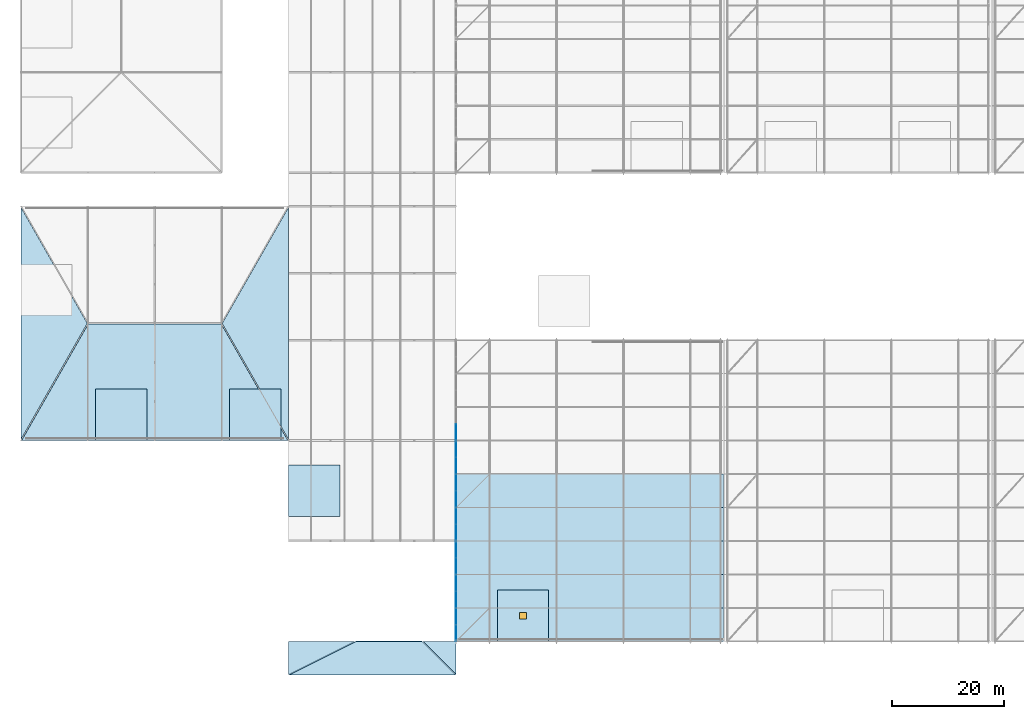
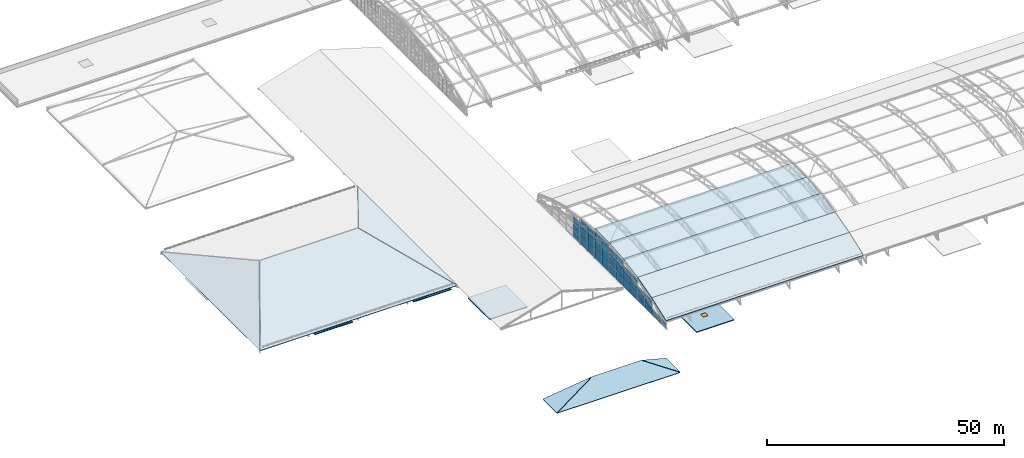
"""IFC4 building model written with IfcOpenShell, lengths in metres."""

from ifc_helpers import new_model, si_unit, direction, frame, origin, origin_2d, place, context, subcontext, project, spatial, polyline, rectangle, outline, extrude, material, layer, layer_set, type_object, element, fill, aggregate, save


model = new_model("IFC4")

# Units and contexts
model_context = context("Model", 3, precision=1e-05, world=origin(), true_north=direction((0.0, 1.0)))
body_context = subcontext(model_context, "Body", "Model", "MODEL_VIEW")
ifc_project = project(units=[si_unit("LENGTHUNIT", "METRE"), si_unit("AREAUNIT", "SQUARE_METRE"), si_unit("VOLUMEUNIT", "CUBIC_METRE"), si_unit("PLANEANGLEUNIT", "RADIAN"), si_unit("MASSUNIT", "GRAM", prefix="KILO")], contexts=[model_context])

# Site, building, storey
site_placement = place(None, origin())
site = spatial("IfcSite", under=ifc_project, at=site_placement, CompositionType="ELEMENT")
building_placement = place(site_placement, origin())
building = spatial("IfcBuilding", under=site, at=building_placement, Name="Zilviju Railside Exhibition Hall", CompositionType="ELEMENT")
storey_1_placement = place(building_placement, frame((0.0, 0.0, 21.0)))
storey_1 = spatial("IfcBuildingStorey", under=building, at=storey_1_placement, Name="RF", CompositionType="ELEMENT", Elevation=21.0)

# Curtain wall, plates
ifc_material_1 = material(Name="Thermally broken aluminium-steel triple-glazed curtain wall", Category="steel")
ifc_layer_1 = layer(ifc_material_1, 0.179931640625)
ifc_layer_set_1 = layer_set([ifc_layer_1], Name="Thermally broken aluminium-steel triple-glazed curtain wall")
curtain_wall_type_1 = type_object("IfcCurtainWallType", Name="CW-BAY-11", PredefinedType="USERDEFINED", material=ifc_layer_set_1)
curtain_wall_1_placement = place(storey_1_placement, origin())
curtain_wall_1 = element("IfcCurtainWall", 1, at=curtain_wall_1_placement, inside=storey_1, type_object=curtain_wall_type_1, Name="South Hall Arch Tympanum Glazing West P3", ObjectType="GLAZED CURTAIN WALL", PredefinedType="USERDEFINED")
ifc_material_2 = material(Name="Laminated acoustic double-glazed porch unit", Category="glass")
ifc_layer_2 = layer(ifc_material_2, 0.031982421875)
ifc_layer_set_2 = layer_set([ifc_layer_2], Name="Laminated acoustic double-glazed porch unit")
plate_type_1 = type_object("IfcPlateType", Name="CWP-IGU-32", PredefinedType="CURTAIN_PANEL", material=ifc_layer_set_2)
plate_1_placement = place(storey_1_placement, frame((78.0, 13.514892578125, -7.739990234375), z_axis=(0.0, 0.0, 1.0), x_axis=(0.0, 1.0, 0.0)))
plate_1 = element("IfcPlate", 2, at=plate_1_placement, type_object=plate_type_1, Name="CW-11 panel 1.1", PredefinedType="CURTAIN_PANEL", context=body_context, shape_type="SweptSolid", body=[
    extrude(rectangle(XDim=2.909912109375, YDim=0.031982421875, at=origin_2d()), origin(), (0.0, 0.0, 1.0), 1.73388671875),
])
plate_2_placement = place(storey_1_placement, frame((78.0, 13.514892578125, -5.94580078125), z_axis=(0.0, 0.0, 1.0), x_axis=(0.0, 1.0, 0.0)))
plate_2 = element("IfcPlate", 3, at=plate_2_placement, type_object=plate_type_1, Name="CW-11 panel 1.2", PredefinedType="CURTAIN_PANEL", context=body_context, shape_type="SweptSolid", body=[
    extrude(rectangle(XDim=2.909912109375, YDim=0.031982421875, at=origin_2d()), origin(), (0.0, 0.0, 1.0), 1.763916015625),
])
plate_3_placement = place(storey_1_placement, frame((78.0, 13.514892578125, -4.121826171875), z_axis=(0.0, 0.0, 1.0), x_axis=(0.0, 1.0, 0.0)))
plate_3 = element("IfcPlate", 4, at=plate_3_placement, type_object=plate_type_1, Name="CW-11 panel 1.3", PredefinedType="CURTAIN_PANEL", context=body_context, shape_type="SweptSolid", body=[
    extrude(rectangle(XDim=2.909912109375, YDim=0.031982421875, at=origin_2d()), origin(), (0.0, 0.0, 1.0), 1.73388671875),
])
plate_4_placement = place(storey_1_placement, frame((78.0, 16.485107421875, -7.739990234375), z_axis=(0.0, 0.0, 1.0), x_axis=(0.0, 1.0, 0.0)))
plate_4 = element("IfcPlate", 5, at=plate_4_placement, type_object=plate_type_1, Name="CW-11 panel 2.1", PredefinedType="CURTAIN_PANEL", context=body_context, shape_type="SweptSolid", body=[
    extrude(rectangle(XDim=2.909912109375, YDim=0.031982421875, at=origin_2d()), origin(), (0.0, 0.0, 1.0), 1.73388671875),
])
plate_5_placement = place(storey_1_placement, frame((78.0, 16.485107421875, -5.94580078125), z_axis=(0.0, 0.0, 1.0), x_axis=(0.0, 1.0, 0.0)))
plate_5 = element("IfcPlate", 6, at=plate_5_placement, type_object=plate_type_1, Name="CW-11 panel 2.2", PredefinedType="CURTAIN_PANEL", context=body_context, shape_type="SweptSolid", body=[
    extrude(rectangle(XDim=2.909912109375, YDim=0.031982421875, at=origin_2d()), origin(), (0.0, 0.0, 1.0), 1.763916015625),
])
plate_6_placement = place(storey_1_placement, frame((78.0, 16.485107421875, -4.121826171875), z_axis=(0.0, 0.0, 1.0), x_axis=(0.0, 1.0, 0.0)))
plate_6 = element("IfcPlate", 7, at=plate_6_placement, type_object=plate_type_1, Name="CW-11 panel 2.3", PredefinedType="CURTAIN_PANEL", context=body_context, shape_type="SweptSolid", body=[
    extrude(rectangle(XDim=2.909912109375, YDim=0.031982421875, at=origin_2d()), origin(), (0.0, 0.0, 1.0), 1.73388671875),
])
aggregate(curtain_wall_1, [plate_1, plate_2, plate_3, plate_4, plate_5, plate_6])

ifc_layer_3 = layer(ifc_material_1, 0.179931640625)
ifc_layer_set_3 = layer_set([ifc_layer_3], Name="Thermally broken aluminium-steel triple-glazed curtain wall")
curtain_wall_type_2 = type_object("IfcCurtainWallType", Name="CW-BAY-10", PredefinedType="USERDEFINED", material=ifc_layer_set_3)
curtain_wall_2_placement = place(storey_1_placement, origin())
curtain_wall_2 = element("IfcCurtainWall", 8, at=curtain_wall_2_placement, inside=storey_1, type_object=curtain_wall_type_2, Name="South Hall Arch Tympanum Glazing West P2", ObjectType="GLAZED CURTAIN WALL", PredefinedType="USERDEFINED")
ifc_material_3 = material(Name="Triple-glazed solar-control glass unit", Category="glass")
ifc_layer_4 = layer(ifc_material_3, 0.0380859375)
ifc_layer_set_4 = layer_set([ifc_layer_4], Name="Triple-glazed solar-control glass unit")
plate_type_2 = type_object("IfcPlateType", Name="CWP-IGU-38", PredefinedType="CURTAIN_PANEL", material=ifc_layer_set_4)
plate_7_placement = place(storey_1_placement, frame((78.0, 7.516357421875, -7.73486328125), z_axis=(0.0, 0.0, 1.0), x_axis=(0.0, 1.0, 0.0)))
plate_7 = element("IfcPlate", 9, at=plate_7_placement, type_object=plate_type_2, Name="CW-10 panel 1.1", PredefinedType="CURTAIN_PANEL", context=body_context, shape_type="SweptSolid", body=[
    extrude(rectangle(XDim=2.902587890625, YDim=0.0380859375, at=origin_2d()), origin(), (0.0, 0.0, 1.0), 1.173583984375),
])
plate_8_placement = place(storey_1_placement, frame((78.0, 7.516357421875, -6.49658203125), z_axis=(0.0, 0.0, 1.0), x_axis=(0.0, 1.0, 0.0)))
plate_8 = element("IfcPlate", 10, at=plate_8_placement, type_object=plate_type_2, Name="CW-10 panel 1.2", PredefinedType="CURTAIN_PANEL", context=body_context, shape_type="SweptSolid", body=[
    extrude(rectangle(XDim=2.902587890625, YDim=0.0380859375, at=origin_2d()), origin(), (0.0, 0.0, 1.0), 1.205078125),
])
plate_9_placement = place(storey_1_placement, frame((78.0, 7.516357421875, -5.2265625), z_axis=(0.0, 0.0, 1.0), x_axis=(0.0, 1.0, 0.0)))
plate_9 = element("IfcPlate", 11, at=plate_9_placement, type_object=plate_type_2, Name="CW-10 panel 1.3", PredefinedType="CURTAIN_PANEL", context=body_context, shape_type="SweptSolid", body=[
    extrude(rectangle(XDim=2.902587890625, YDim=0.0380859375, at=origin_2d()), origin(), (0.0, 0.0, 1.0), 1.173583984375),
])
plate_10_placement = place(storey_1_placement, frame((78.0, 10.483642578125, -7.73486328125), z_axis=(0.0, 0.0, 1.0), x_axis=(0.0, 1.0, 0.0)))
plate_10 = element("IfcPlate", 12, at=plate_10_placement, type_object=plate_type_2, Name="CW-10 panel 2.1", PredefinedType="CURTAIN_PANEL", context=body_context, shape_type="SweptSolid", body=[
    extrude(rectangle(XDim=2.902587890625, YDim=0.0380859375, at=origin_2d()), origin(), (0.0, 0.0, 1.0), 1.173583984375),
])
plate_11_placement = place(storey_1_placement, frame((78.0, 10.483642578125, -6.49658203125), z_axis=(0.0, 0.0, 1.0), x_axis=(0.0, 1.0, 0.0)))
plate_11 = element("IfcPlate", 13, at=plate_11_placement, type_object=plate_type_2, Name="CW-10 panel 2.2", PredefinedType="CURTAIN_PANEL", context=body_context, shape_type="SweptSolid", body=[
    extrude(rectangle(XDim=2.902587890625, YDim=0.0380859375, at=origin_2d()), origin(), (0.0, 0.0, 1.0), 1.205078125),
])
plate_12_placement = place(storey_1_placement, frame((78.0, 10.483642578125, -5.2265625), z_axis=(0.0, 0.0, 1.0), x_axis=(0.0, 1.0, 0.0)))
plate_12 = element("IfcPlate", 14, at=plate_12_placement, type_object=plate_type_2, Name="CW-10 panel 2.3", PredefinedType="CURTAIN_PANEL", context=body_context, shape_type="SweptSolid", body=[
    extrude(rectangle(XDim=2.902587890625, YDim=0.0380859375, at=origin_2d()), origin(), (0.0, 0.0, 1.0), 1.173583984375),
])
aggregate(curtain_wall_2, [plate_7, plate_8, plate_9, plate_10, plate_11, plate_12])

ifc_layer_5 = layer(ifc_material_1, 0.179931640625)
ifc_layer_set_5 = layer_set([ifc_layer_5], Name="Thermally broken aluminium-steel triple-glazed curtain wall")
curtain_wall_type_3 = type_object("IfcCurtainWallType", Name="CW-BAY-09", PredefinedType="USERDEFINED", material=ifc_layer_set_5)
curtain_wall_3_placement = place(storey_1_placement, origin())
curtain_wall_3 = element("IfcCurtainWall", 15, at=curtain_wall_3_placement, inside=storey_1, type_object=curtain_wall_type_3, Name="South Hall Arch Tympanum Glazing West P1", ObjectType="GLAZED CURTAIN WALL", PredefinedType="USERDEFINED")
ifc_material_4 = material(Name="Triple-glazed low-E argon insulating glass unit", Category="glass")
ifc_layer_6 = layer(ifc_material_4, 0.0439453125)
ifc_layer_set_6 = layer_set([ifc_layer_6], Name="Triple-glazed low-E argon insulating glass unit")
plate_type_3 = type_object("IfcPlateType", Name="CWP-IGU-44", PredefinedType="CURTAIN_PANEL", material=ifc_layer_set_6)
plate_13_placement = place(storey_1_placement, frame((78.0, 1.517578125, -7.72998046875), z_axis=(0.0, 0.0, 1.0), x_axis=(0.0, 1.0, 0.0)))
plate_13 = element("IfcPlate", 16, at=plate_13_placement, type_object=plate_type_3, Name="CW-09 panel 1.1", PredefinedType="CURTAIN_PANEL", context=body_context, shape_type="SweptSolid", body=[
    extrude(rectangle(XDim=2.89501953125, YDim=0.0439453125, at=origin_2d()), origin(), (0.0, 0.0, 1.0), 0.695068359375),
])
plate_14_placement = place(storey_1_placement, frame((78.0, 1.517578125, -6.96484375), z_axis=(0.0, 0.0, 1.0), x_axis=(0.0, 1.0, 0.0)))
plate_14 = element("IfcPlate", 17, at=plate_14_placement, type_object=plate_type_3, Name="CW-09 panel 1.2", PredefinedType="CURTAIN_PANEL", context=body_context, shape_type="SweptSolid", body=[
    extrude(rectangle(XDim=2.89501953125, YDim=0.0439453125, at=origin_2d()), origin(), (0.0, 0.0, 1.0), 0.695068359375),
])
plate_15_placement = place(storey_1_placement, frame((78.0, 4.482421875, -7.72998046875), z_axis=(0.0, 0.0, 1.0), x_axis=(0.0, 1.0, 0.0)))
plate_15 = element("IfcPlate", 18, at=plate_15_placement, type_object=plate_type_3, Name="CW-09 panel 2.1", PredefinedType="CURTAIN_PANEL", context=body_context, shape_type="SweptSolid", body=[
    extrude(rectangle(XDim=2.89501953125, YDim=0.0439453125, at=origin_2d()), origin(), (0.0, 0.0, 1.0), 0.695068359375),
])
plate_16_placement = place(storey_1_placement, frame((78.0, 4.482421875, -6.96484375), z_axis=(0.0, 0.0, 1.0), x_axis=(0.0, 1.0, 0.0)))
plate_16 = element("IfcPlate", 19, at=plate_16_placement, type_object=plate_type_3, Name="CW-09 panel 2.2", PredefinedType="CURTAIN_PANEL", context=body_context, shape_type="SweptSolid", body=[
    extrude(rectangle(XDim=2.89501953125, YDim=0.0439453125, at=origin_2d()), origin(), (0.0, 0.0, 1.0), 0.695068359375),
])
aggregate(curtain_wall_3, [plate_13, plate_14, plate_15, plate_16])

ifc_layer_7 = layer(ifc_material_1, 0.179931640625)
ifc_layer_set_7 = layer_set([ifc_layer_7], Name="Thermally broken aluminium-steel triple-glazed curtain wall")
curtain_wall_type_4 = type_object("IfcCurtainWallType", Name="CW-BAY-14", PredefinedType="USERDEFINED", material=ifc_layer_set_7)
curtain_wall_4_placement = place(storey_1_placement, origin())
curtain_wall_4 = element("IfcCurtainWall", 20, at=curtain_wall_4_placement, inside=storey_1, type_object=curtain_wall_type_4, Name="South Hall Arch Tympanum Glazing West P6", ObjectType="GLAZED CURTAIN WALL", PredefinedType="USERDEFINED")
plate_17_placement = place(storey_1_placement, frame((78.0, 31.513671875, -7.7451171875), z_axis=(0.0, 0.0, 1.0), x_axis=(0.0, 1.0, 0.0)))
plate_17 = element("IfcPlate", 21, at=plate_17_placement, type_object=plate_type_3, Name="CW-14 panel 1.1", PredefinedType="CURTAIN_PANEL", context=body_context, shape_type="SweptSolid", body=[
    extrude(rectangle(XDim=2.91748046875, YDim=0.0439453125, at=origin_2d()), origin(), (0.0, 0.0, 1.0), 2.110595703125),
])
plate_18_placement = place(storey_1_placement, frame((78.0, 31.513671875, -5.57958984375), z_axis=(0.0, 0.0, 1.0), x_axis=(0.0, 1.0, 0.0)))
plate_18 = element("IfcPlate", 22, at=plate_18_placement, type_object=plate_type_3, Name="CW-14 panel 1.2", PredefinedType="CURTAIN_PANEL", context=body_context, shape_type="SweptSolid", body=[
    extrude(rectangle(XDim=2.91748046875, YDim=0.0439453125, at=origin_2d()), origin(), (0.0, 0.0, 1.0), 2.136962890625),
])
plate_19_placement = place(storey_1_placement, frame((78.0, 31.513671875, -3.3876953125), z_axis=(0.0, 0.0, 1.0), x_axis=(0.0, 1.0, 0.0)))
plate_19 = element("IfcPlate", 23, at=plate_19_placement, type_object=plate_type_3, Name="CW-14 panel 1.3", PredefinedType="CURTAIN_PANEL", context=body_context, shape_type="SweptSolid", body=[
    extrude(rectangle(XDim=2.91748046875, YDim=0.0439453125, at=origin_2d()), origin(), (0.0, 0.0, 1.0), 2.110595703125),
])
plate_20_placement = place(storey_1_placement, frame((78.0, 34.486328125, -7.7451171875), z_axis=(0.0, 0.0, 1.0), x_axis=(0.0, 1.0, 0.0)))
plate_20 = element("IfcPlate", 24, at=plate_20_placement, type_object=plate_type_3, Name="CW-14 panel 2.1", PredefinedType="CURTAIN_PANEL", context=body_context, shape_type="SweptSolid", body=[
    extrude(rectangle(XDim=2.91748046875, YDim=0.0439453125, at=origin_2d()), origin(), (0.0, 0.0, 1.0), 2.110595703125),
])
plate_21_placement = place(storey_1_placement, frame((78.0, 34.486328125, -5.57958984375), z_axis=(0.0, 0.0, 1.0), x_axis=(0.0, 1.0, 0.0)))
plate_21 = element("IfcPlate", 25, at=plate_21_placement, type_object=plate_type_3, Name="CW-14 panel 2.2", PredefinedType="CURTAIN_PANEL", context=body_context, shape_type="SweptSolid", body=[
    extrude(rectangle(XDim=2.91748046875, YDim=0.0439453125, at=origin_2d()), origin(), (0.0, 0.0, 1.0), 2.136962890625),
])
plate_22_placement = place(storey_1_placement, frame((78.0, 34.486328125, -3.3876953125), z_axis=(0.0, 0.0, 1.0), x_axis=(0.0, 1.0, 0.0)))
plate_22 = element("IfcPlate", 26, at=plate_22_placement, type_object=plate_type_3, Name="CW-14 panel 2.3", PredefinedType="CURTAIN_PANEL", context=body_context, shape_type="SweptSolid", body=[
    extrude(rectangle(XDim=2.91748046875, YDim=0.0439453125, at=origin_2d()), origin(), (0.0, 0.0, 1.0), 2.110595703125),
])
aggregate(curtain_wall_4, [plate_17, plate_18, plate_19, plate_20, plate_21, plate_22])

ifc_layer_8 = layer(ifc_material_1, 0.179931640625)
ifc_layer_set_8 = layer_set([ifc_layer_8], Name="Thermally broken aluminium-steel triple-glazed curtain wall")
curtain_wall_type_5 = type_object("IfcCurtainWallType", Name="CW-BAY-15", PredefinedType="USERDEFINED", material=ifc_layer_set_8)
curtain_wall_5_placement = place(storey_1_placement, origin())
curtain_wall_5 = element("IfcCurtainWall", 27, at=curtain_wall_5_placement, inside=storey_1, type_object=curtain_wall_type_5, Name="South Hall Arch Tympanum Glazing West P7", ObjectType="GLAZED CURTAIN WALL", PredefinedType="USERDEFINED")
plate_23_placement = place(storey_1_placement, frame((78.0, 37.517578125, -7.72998046875), z_axis=(0.0, 0.0, 1.0), x_axis=(0.0, 1.0, 0.0)))
plate_23 = element("IfcPlate", 28, at=plate_23_placement, type_object=plate_type_3, Name="CW-15 panel 1.1", PredefinedType="CURTAIN_PANEL", context=body_context, shape_type="SweptSolid", body=[
    extrude(rectangle(XDim=2.89501953125, YDim=0.0439453125, at=origin_2d()), origin(), (0.0, 0.0, 1.0), 1.718994140625),
])
plate_24_placement = place(storey_1_placement, frame((78.0, 37.517578125, -5.94091796875), z_axis=(0.0, 0.0, 1.0), x_axis=(0.0, 1.0, 0.0)))
plate_24 = element("IfcPlate", 29, at=plate_24_placement, type_object=plate_type_3, Name="CW-15 panel 1.2", PredefinedType="CURTAIN_PANEL", context=body_context, shape_type="SweptSolid", body=[
    extrude(rectangle(XDim=2.89501953125, YDim=0.0439453125, at=origin_2d()), origin(), (0.0, 0.0, 1.0), 1.75390625),
])
plate_25_placement = place(storey_1_placement, frame((78.0, 37.517578125, -4.1171875), z_axis=(0.0, 0.0, 1.0), x_axis=(0.0, 1.0, 0.0)))
plate_25 = element("IfcPlate", 30, at=plate_25_placement, type_object=plate_type_3, Name="CW-15 panel 1.3", PredefinedType="CURTAIN_PANEL", context=body_context, shape_type="SweptSolid", body=[
    extrude(rectangle(XDim=2.89501953125, YDim=0.0439453125, at=origin_2d()), origin(), (0.0, 0.0, 1.0), 1.718994140625),
])
aggregate(curtain_wall_5, [plate_23, plate_24, plate_25])

ifc_layer_9 = layer(ifc_material_1, 0.179931640625)
ifc_layer_set_9 = layer_set([ifc_layer_9], Name="Thermally broken aluminium-steel triple-glazed curtain wall")
curtain_wall_type_6 = type_object("IfcCurtainWallType", Name="CW-BAY-12", PredefinedType="USERDEFINED", material=ifc_layer_set_9)
curtain_wall_6_placement = place(storey_1_placement, origin())
curtain_wall_6 = element("IfcCurtainWall", 31, at=curtain_wall_6_placement, inside=storey_1, type_object=curtain_wall_type_6, Name="South Hall Arch Tympanum Glazing West P4", ObjectType="GLAZED CURTAIN WALL", PredefinedType="USERDEFINED")
ifc_material_5 = material(Name="Insulated cobalt-blue enamelled spandrel glass panel", Category="glass")
ifc_layer_10 = layer(ifc_material_5, 0.052001953125)
ifc_layer_set_10 = layer_set([ifc_layer_10], Name="Insulated cobalt-blue enamelled spandrel glass panel")
plate_type_4 = type_object("IfcPlateType", Name="CWP-SPD-52", PredefinedType="CURTAIN_PANEL", material=ifc_layer_set_10)
plate_26_placement = place(storey_1_placement, frame((78.0, 19.52001953125, -7.72021484375), z_axis=(0.0, 0.0, 1.0), x_axis=(0.0, 1.0, 0.0)))
plate_26 = element("IfcPlate", 32, at=plate_26_placement, type_object=plate_type_4, Name="CW-12 panel 1.1", PredefinedType="CURTAIN_PANEL", context=body_context, shape_type="SweptSolid", body=[
    extrude(rectangle(XDim=2.8798828125, YDim=0.052001953125, at=origin_2d()), origin(), (0.0, 0.0, 1.0), 2.072998046875),
])
plate_27_placement = place(storey_1_placement, frame((78.0, 19.52001953125, -5.56689453125), z_axis=(0.0, 0.0, 1.0), x_axis=(0.0, 1.0, 0.0)))
plate_27 = element("IfcPlate", 33, at=plate_27_placement, type_object=plate_type_4, Name="CW-12 panel 1.2", PredefinedType="CURTAIN_PANEL", context=body_context, shape_type="SweptSolid", body=[
    extrude(rectangle(XDim=2.8798828125, YDim=0.052001953125, at=origin_2d()), origin(), (0.0, 0.0, 1.0), 2.112060546875),
])
plate_28_placement = place(storey_1_placement, frame((78.0, 19.52001953125, -3.375), z_axis=(0.0, 0.0, 1.0), x_axis=(0.0, 1.0, 0.0)))
plate_28 = element("IfcPlate", 34, at=plate_28_placement, type_object=plate_type_4, Name="CW-12 panel 1.3", PredefinedType="CURTAIN_PANEL", context=body_context, shape_type="SweptSolid", body=[
    extrude(rectangle(XDim=2.8798828125, YDim=0.052001953125, at=origin_2d()), origin(), (0.0, 0.0, 1.0), 2.072998046875),
])
plate_29_placement = place(storey_1_placement, frame((78.0, 22.47998046875, -7.72021484375), z_axis=(0.0, 0.0, 1.0), x_axis=(0.0, 1.0, 0.0)))
plate_29 = element("IfcPlate", 35, at=plate_29_placement, type_object=plate_type_4, Name="CW-12 panel 2.1", PredefinedType="CURTAIN_PANEL", context=body_context, shape_type="SweptSolid", body=[
    extrude(rectangle(XDim=2.8798828125, YDim=0.052001953125, at=origin_2d()), origin(), (0.0, 0.0, 1.0), 2.072998046875),
])
plate_30_placement = place(storey_1_placement, frame((78.0, 22.47998046875, -5.56689453125), z_axis=(0.0, 0.0, 1.0), x_axis=(0.0, 1.0, 0.0)))
plate_30 = element("IfcPlate", 36, at=plate_30_placement, type_object=plate_type_4, Name="CW-12 panel 2.2", PredefinedType="CURTAIN_PANEL", context=body_context, shape_type="SweptSolid", body=[
    extrude(rectangle(XDim=2.8798828125, YDim=0.052001953125, at=origin_2d()), origin(), (0.0, 0.0, 1.0), 2.112060546875),
])
plate_31_placement = place(storey_1_placement, frame((78.0, 22.47998046875, -3.375), z_axis=(0.0, 0.0, 1.0), x_axis=(0.0, 1.0, 0.0)))
plate_31 = element("IfcPlate", 37, at=plate_31_placement, type_object=plate_type_4, Name="CW-12 panel 2.3", PredefinedType="CURTAIN_PANEL", context=body_context, shape_type="SweptSolid", body=[
    extrude(rectangle(XDim=2.8798828125, YDim=0.052001953125, at=origin_2d()), origin(), (0.0, 0.0, 1.0), 2.072998046875),
])
aggregate(curtain_wall_6, [plate_26, plate_27, plate_28, plate_29, plate_30, plate_31])

ifc_layer_11 = layer(ifc_material_1, 0.179931640625)
ifc_layer_set_11 = layer_set([ifc_layer_11], Name="Thermally broken aluminium-steel triple-glazed curtain wall")
curtain_wall_type_7 = type_object("IfcCurtainWallType", Name="CW-BAY-13", PredefinedType="USERDEFINED", material=ifc_layer_set_11)
curtain_wall_7_placement = place(storey_1_placement, origin())
curtain_wall_7 = element("IfcCurtainWall", 38, at=curtain_wall_7_placement, inside=storey_1, type_object=curtain_wall_type_7, Name="South Hall Arch Tympanum Glazing West P5", ObjectType="GLAZED CURTAIN WALL", PredefinedType="USERDEFINED")
ifc_material_6 = material(Name="Insulated emerald ceramic-frit spandrel panel", Category="glass")
ifc_layer_12 = layer(ifc_material_6, 0.06396484375)
ifc_layer_set_12 = layer_set([ifc_layer_12], Name="Insulated emerald ceramic-frit spandrel panel")
plate_type_5 = type_object("IfcPlateType", Name="CWP-SPD-64", PredefinedType="CURTAIN_PANEL", material=ifc_layer_set_12)
plate_32_placement = place(storey_1_placement, frame((78.0, 25.518798828125, -7.72509765625), z_axis=(0.0, 0.0, 1.0), x_axis=(0.0, 1.0, 0.0)))
plate_32 = element("IfcPlate", 39, at=plate_32_placement, type_object=plate_type_5, Name="CW-13 panel 1.1", PredefinedType="CURTAIN_PANEL", context=body_context, shape_type="SweptSolid", body=[
    extrude(rectangle(XDim=2.887451171875, YDim=0.06396484375, at=origin_2d()), origin(), (0.0, 0.0, 1.0), 2.264404296875),
])
plate_33_placement = place(storey_1_placement, frame((78.0, 25.518798828125, -5.3857421875), z_axis=(0.0, 0.0, 1.0), x_axis=(0.0, 1.0, 0.0)))
plate_33 = element("IfcPlate", 40, at=plate_33_placement, type_object=plate_type_5, Name="CW-13 panel 1.2", PredefinedType="CURTAIN_PANEL", context=body_context, shape_type="SweptSolid", body=[
    extrude(rectangle(XDim=2.887451171875, YDim=0.06396484375, at=origin_2d()), origin(), (0.0, 0.0, 1.0), 2.302001953125),
])
plate_34_placement = place(storey_1_placement, frame((78.0, 25.518798828125, -3.00830078125), z_axis=(0.0, 0.0, 1.0), x_axis=(0.0, 1.0, 0.0)))
plate_34 = element("IfcPlate", 41, at=plate_34_placement, type_object=plate_type_5, Name="CW-13 panel 1.3", PredefinedType="CURTAIN_PANEL", context=body_context, shape_type="SweptSolid", body=[
    extrude(rectangle(XDim=2.887451171875, YDim=0.06396484375, at=origin_2d()), origin(), (0.0, 0.0, 1.0), 2.264404296875),
])
plate_35_placement = place(storey_1_placement, frame((78.0, 28.481201171875, -7.72509765625), z_axis=(0.0, 0.0, 1.0), x_axis=(0.0, 1.0, 0.0)))
plate_35 = element("IfcPlate", 42, at=plate_35_placement, type_object=plate_type_5, Name="CW-13 panel 2.1", PredefinedType="CURTAIN_PANEL", context=body_context, shape_type="SweptSolid", body=[
    extrude(rectangle(XDim=2.887451171875, YDim=0.06396484375, at=origin_2d()), origin(), (0.0, 0.0, 1.0), 2.264404296875),
])
plate_36_placement = place(storey_1_placement, frame((78.0, 28.481201171875, -5.3857421875), z_axis=(0.0, 0.0, 1.0), x_axis=(0.0, 1.0, 0.0)))
plate_36 = element("IfcPlate", 43, at=plate_36_placement, type_object=plate_type_5, Name="CW-13 panel 2.2", PredefinedType="CURTAIN_PANEL", context=body_context, shape_type="SweptSolid", body=[
    extrude(rectangle(XDim=2.887451171875, YDim=0.06396484375, at=origin_2d()), origin(), (0.0, 0.0, 1.0), 2.302001953125),
])
plate_37_placement = place(storey_1_placement, frame((78.0, 28.481201171875, -3.00830078125), z_axis=(0.0, 0.0, 1.0), x_axis=(0.0, 1.0, 0.0)))
plate_37 = element("IfcPlate", 44, at=plate_37_placement, type_object=plate_type_5, Name="CW-13 panel 2.3", PredefinedType="CURTAIN_PANEL", context=body_context, shape_type="SweptSolid", body=[
    extrude(rectangle(XDim=2.887451171875, YDim=0.06396484375, at=origin_2d()), origin(), (0.0, 0.0, 1.0), 2.264404296875),
])
aggregate(curtain_wall_7, [plate_32, plate_33, plate_34, plate_35, plate_36, plate_37])

# Slab, opening
ifc_material_7 = material(Name="Concrete C35/45", Category="concrete")
ifc_layer_13 = layer(ifc_material_7, 0.219970703125)
ifc_layer_set_13 = layer_set([ifc_layer_13], Name="Concrete C35/45")
slab_type_1 = type_object("IfcSlabType", Name="SL-RCAP-220", PredefinedType="ROOF", material=ifc_layer_set_13)
slab_1_placement = place(storey_1_placement, frame((0.0, 0.0, -11.419921875)))
slab_1 = element("IfcSlab", 45, at=slab_1_placement, inside=storey_1, type_object=slab_type_1, Name="Core C01 South Hall West Overrun Roof Cap", PredefinedType="ROOF", context=body_context, shape_type="SweptSolid", body=[
    extrude(outline(polyline([(85.39990234375, 0.0), (94.60009765625, 0.0), (94.60009765625, 9.199951171875), (85.39990234375, 9.199951171875), (85.39990234375, 0.0)])), origin(), (0.0, 0.0, 1.0), 0.219970703125),
])
opening_placement = place(slab_1_placement, frame((90.0, 4.60009765625, 0.0)))
opening = element("IfcOpeningElement", 46, at=opening_placement, cuts=slab_1, Name="Opening SK-04", PredefinedType="OPENING", context=body_context, shape_type="SweptSolid", body=[
    extrude(rectangle(XDim=1.199951171875, YDim=1.199951171875, at=origin_2d()), frame((0.0, 0.0, -0.010009765625)), (0.0, 0.0, 1.0), 0.239990234375),
])

# Storey
storey_2_placement = place(building_placement, frame((0.0, 0.0, 4.199951171875)))
storey_2 = spatial("IfcBuildingStorey", under=building, at=storey_2_placement, Name="L02", CompositionType="ELEMENT", Elevation=4.199951171875)

# Window
ifc_material_8 = material(Name="Triple-glazed timber-aluminium window unit", Category="wood")
window_type = type_object("IfcWindowType", Name="SKY-HT-120x120", PartitioningType="SINGLE_PANEL", PredefinedType="SKYLIGHT", material=ifc_material_8)
window_placement = place(opening_placement, frame((0.0, 0.0, 0.159912109375)))
window = element("IfcWindow", 47, at=window_placement, inside=storey_2, type_object=window_type, Name="ROOF ACCESS HATCH RH-03", OverallHeight=1.199951171875, OverallWidth=1.199951171875, PartitioningType="SINGLE_PANEL", PredefinedType="SKYLIGHT", context=body_context, shape_type="SweptSolid", body=[
    extrude(rectangle(XDim=1.199951171875, YDim=1.199951171875, at=origin_2d()), origin(), (0.0, 0.0, 1.0), 0.06005859375),
])

fill(opening, window)

# Slabs
slab_2_placement = place(storey_1_placement, frame((0.0, 0.0, -8.6201171875)))
element("IfcSlab", 48, at=slab_2_placement, inside=storey_1, type_object=slab_type_1, Name="Core C11 Winter Concourse Forecourt Overrun Roof Cap", PredefinedType="ROOF", context=body_context, shape_type="SweptSolid", body=[
    extrude(outline(polyline([(48.0, 22.39990234375), (57.199951171875, 22.39990234375), (57.199951171875, 31.60009765625), (48.0, 31.60009765625), (48.0, 22.39990234375)])), origin(), (0.0, 0.0, 1.0), 0.22021484375),
])
slab_3_placement = place(storey_1_placement, frame((0.0, 0.0, -8.6201171875)))
element("IfcSlab", 49, at=slab_3_placement, inside=storey_1, type_object=slab_type_1, Name="Core C12 Congress Plenary SouthW Overrun Roof Cap", PredefinedType="ROOF", context=body_context, shape_type="SweptSolid", body=[
    extrude(outline(polyline([(13.39990234375, 36.0), (22.60009765625, 36.0), (22.60009765625, 45.199951171875), (13.39990234375, 45.199951171875), (13.39990234375, 36.0)])), origin(), (0.0, 0.0, 1.0), 0.22021484375),
])
slab_4_placement = place(storey_1_placement, frame((0.0, 0.0, -8.6201171875)))
element("IfcSlab", 50, at=slab_4_placement, inside=storey_1, type_object=slab_type_1, Name="Core C13 Congress Plenary SouthE Overrun Roof Cap", PredefinedType="ROOF", context=body_context, shape_type="SweptSolid", body=[
    extrude(outline(polyline([(37.39990234375, 36.0), (46.60009765625, 36.0), (46.60009765625, 45.199951171875), (37.39990234375, 45.199951171875), (37.39990234375, 36.0)])), origin(), (0.0, 0.0, 1.0), 0.22021484375),
])

# Roof, slabs
ifc_material_9 = material(Name="Wrought-iron and laminated-glass marquee roof", Category="glass")
ifc_layer_14 = layer(ifc_material_9, 0.159912109375)
ifc_layer_set_14 = layer_set([ifc_layer_14], Name="Wrought-iron and laminated-glass marquee roof")
roof_type_1 = type_object("IfcRoofType", Name="ROOF-HIP-GLASS", PredefinedType="HIP_ROOF", material=ifc_layer_set_14)
roof_1_placement = place(storey_1_placement, origin())
roof_1 = element("IfcRoof", 51, at=roof_1_placement, inside=storey_1, type_object=roof_type_1, Name="Glazed Entrance Porch Wrought-Iron Marquee Roof", PredefinedType="HIP_ROOF")
ifc_layer_15 = layer(ifc_material_7, 0.169921875)
ifc_layer_set_15 = layer_set([ifc_layer_15], Name="Concrete C35/45")
slab_type_2 = type_object("IfcSlabType", Name="SL-ROOF-170", PredefinedType="ROOF", material=ifc_layer_set_15)
slab_5_placement = place(storey_1_placement, frame((48.080078125, -6.0, -15.320068359375), z_axis=(0.0, -0.253154146928, 0.967425954734), x_axis=(1.0, 0.0, 0.0)))
slab_5 = element("IfcSlab", 52, at=slab_5_placement, type_object=slab_type_2, Name="Entrance Porch Marquee Glass Deck 1", PredefinedType="ROOF", context=body_context, shape_type="SweptSolid", body=[
    extrude(outline(polyline([(0.0, 0.0), (29.83984375, 0.0), (23.83984375, 6.2020250445407346), (12.0, 6.2020250445407346), (0.0, 0.0)])), origin(), (0.0, 0.0, -1.0), 0.169921875),
])
slab_6_placement = place(storey_1_placement, frame((48.0, 0.0, -15.320068359375), z_axis=(-0.129740768279, 0.0, 0.991547947931), x_axis=(0.0, -1.0, 0.0)))
slab_6 = element("IfcSlab", 53, at=slab_6_placement, type_object=slab_type_2, Name="Entrance Porch Marquee Glass Deck 2", PredefinedType="ROOF", context=body_context, shape_type="SweptSolid", body=[
    extrude(outline(polyline([(0.0, 0.0), (5.93994140625, 0.0), (0.0, 11.98114810008782), (0.0, 0.0)])), origin(), (0.0, 0.0, -1.0), 0.169921875),
])
slab_7_placement = place(storey_1_placement, frame((78.0, -5.919921875, -15.320068359375), z_axis=(0.25314781414, 0.0, 0.967427611864), x_axis=(0.0, 1.0, 0.0)))
slab_7 = element("IfcSlab", 54, at=slab_7_placement, type_object=slab_type_2, Name="Entrance Porch Marquee Glass Deck 3", PredefinedType="ROOF", context=body_context, shape_type="SweptSolid", body=[
    extrude(outline(polyline([(0.0, 0.0), (5.919921875, 0.0), (5.919921875, 6.119240139938298), (0.0, 0.0)])), origin(), (0.0, 0.0, -1.0), 0.169921875),
])
aggregate(roof_1, [slab_5, slab_6, slab_7])

ifc_material_10 = material(Name="Patinated copper acoustic hipped roof deck", Category="steel")
ifc_layer_16 = layer(ifc_material_10, 0.219970703125)
ifc_layer_set_16 = layer_set([ifc_layer_16], Name="Patinated copper acoustic hipped roof deck")
roof_type_2 = type_object("IfcRoofType", Name="ROOF-HIP-COPPER", PredefinedType="HIP_ROOF", material=ifc_layer_set_16)
roof_2_placement = place(storey_1_placement, origin())
roof_2 = element("IfcRoof", 55, at=roof_2_placement, inside=storey_1, type_object=roof_type_2, Name="Congress Plenary Steep Hipped Patinated-Copper Roof", PredefinedType="HIP_ROOF")
ifc_layer_17 = layer(ifc_material_7, 0.2099609375)
ifc_layer_set_17 = layer_set([ifc_layer_17], Name="Concrete C35/45")
slab_type_3 = type_object("IfcSlabType", Name="SL-ROOF-210", PredefinedType="ROOF", material=ifc_layer_set_17)
slab_8_placement = place(storey_1_placement, frame((0.139892578125, 36.0, -7.919921875), z_axis=(0.0, -0.285249680397, 0.958453243426), x_axis=(1.0, 0.0, 0.0)))
slab_8 = element("IfcSlab", 56, at=slab_8_placement, type_object=slab_type_3, Name="Congress Hipped Roof Deck 1", PredefinedType="ROOF", context=body_context, shape_type="SweptSolid", body=[
    extrude(outline(polyline([(0.0, 0.0), (47.72021484375, 0.0), (35.765869140625, 21.82675265433424), (11.954345703125, 21.82675265433424), (0.0, 0.0)])), origin(), (0.0, 0.0, -1.0), 0.2099609375),
])
slab_9_placement = place(storey_1_placement, frame((0.0, 77.840087890625, -7.919921875), z_axis=(-0.461931439082, 0.0, 0.886915636116), x_axis=(0.0, -1.0, 0.0)))
slab_9 = element("IfcSlab", 57, at=slab_9_placement, type_object=slab_type_3, Name="Congress Hipped Roof Deck 3", PredefinedType="ROOF", context=body_context, shape_type="SweptSolid", body=[
    extrude(outline(polyline([(0.0, 0.0), (41.68017578125, 0.0), (20.840087890625, 13.427084743252077), (0.0, 0.0)])), origin(), (0.0, 0.0, -1.0), 0.2099609375),
])
slab_10_placement = place(storey_1_placement, frame((48.0, 36.159912109375, -7.919921875), z_axis=(0.461931439082, 0.0, 0.886915636116), x_axis=(0.0, 1.0, 0.0)))
slab_10 = element("IfcSlab", 58, at=slab_10_placement, type_object=slab_type_3, Name="Congress Hipped Roof Deck 4", PredefinedType="ROOF", context=body_context, shape_type="SweptSolid", body=[
    extrude(outline(polyline([(0.0, 0.0), (41.68017578125, 0.0), (20.840087890625, 13.427084743252077), (0.0, 0.0)])), origin(), (0.0, 0.0, -1.0), 0.2099609375),
])
aggregate(roof_2, [slab_8, slab_9, slab_10])

ifc_material_11 = material(Name="Standing-seam zinc-copper acoustic barrel roof deck", Category="steel")
ifc_layer_18 = layer(ifc_material_11, 0.239990234375)
ifc_layer_set_18 = layer_set([ifc_layer_18], Name="Standing-seam zinc-copper acoustic barrel roof deck")
roof_type_3 = type_object("IfcRoofType", Name="ROOF-BARREL-ZINC", PredefinedType="BARREL_ROOF", material=ifc_layer_set_18)
roof_3_placement = place(storey_1_placement, origin())
roof_3 = element("IfcRoof", 59, at=roof_3_placement, inside=storey_1, type_object=roof_type_3, Name="V1 Standing-Seam Barrel Vault Roof Block 1", PredefinedType="BARREL_ROOF")
ifc_layer_19 = layer(ifc_material_7, 0.22998046875)
ifc_layer_set_19 = layer_set([ifc_layer_19], Name="Concrete C35/45")
slab_type_4 = type_object("IfcSlabType", Name="SL-ROOF-230", PredefinedType="ROOF", material=ifc_layer_set_19)
slab_11_placement = place(storey_1_placement, frame((78.0, 0.0, -5.675048828125), z_axis=(0.0, -0.345963648468, 0.938247917098), x_axis=(1.0, 0.0, 0.0)))
slab_11 = element("IfcSlab", 60, at=slab_11_placement, type_object=slab_type_4, Name="V1 Barrel Vault Roof Deck B1.1", PredefinedType="ROOF", context=body_context, shape_type="SweptSolid", body=[
    extrude(outline(polyline([(0.0, 0.0), (47.969970703125, 0.0), (47.969970703125, 6.394898289310824), (0.0, 6.394898289310824), (0.0, 0.0)])), origin(), (0.0, 0.0, -1.0), 0.22998046875),
])
slab_12_placement = place(storey_1_placement, frame((78.0, 6.0, -3.462646484375), z_axis=(0.0, -0.266527144223, 0.963827412659), x_axis=(1.0, 0.0, 0.0)))
slab_12 = element("IfcSlab", 61, at=slab_12_placement, type_object=slab_type_4, Name="V1 Barrel Vault Roof Deck B1.2", PredefinedType="ROOF", context=body_context, shape_type="SweptSolid", body=[
    extrude(outline(polyline([(0.0, 0.0), (47.969970703125, 0.0), (47.969970703125, 6.225180899814286), (0.0, 6.225180899814286), (0.0, 0.0)])), origin(), (0.0, 0.0, -1.0), 0.22998046875),
])
slab_13_placement = place(storey_1_placement, frame((78.0, 12.0, -1.803466796875), z_axis=(0.0, -0.18131112606, 0.98342578549), x_axis=(1.0, 0.0, 0.0)))
slab_13 = element("IfcSlab", 62, at=slab_13_placement, type_object=slab_type_4, Name="V1 Barrel Vault Roof Deck B1.3", PredefinedType="ROOF", context=body_context, shape_type="SweptSolid", body=[
    extrude(outline(polyline([(0.0, 0.0), (47.969970703125, 0.0), (47.969970703125, 6.101121293062253), (0.0, 6.101121293062253), (0.0, 0.0)])), origin(), (0.0, 0.0, -1.0), 0.22998046875),
])
slab_14_placement = place(storey_1_placement, frame((78.0, 18.0, -0.697265625), z_axis=(0.0, -0.091814320641, 0.995776144786), x_axis=(1.0, 0.0, 0.0)))
slab_14 = element("IfcSlab", 63, at=slab_14_placement, type_object=slab_type_4, Name="V1 Barrel Vault Roof Deck B1.4", PredefinedType="ROOF", context=body_context, shape_type="SweptSolid", body=[
    extrude(outline(polyline([(0.0, 0.0), (47.969970703125, 0.0), (47.969970703125, 6.0254506310638964), (0.0, 6.0254506310638964), (0.0, 0.0)])), origin(), (0.0, 0.0, -1.0), 0.22998046875),
])
slab_15_placement = place(storey_1_placement, frame((78.0, 24.0, -0.14404296875), z_axis=(0.0, 0.0, 1.0), x_axis=(1.0, 0.0, 0.0)))
slab_15 = element("IfcSlab", 64, at=slab_15_placement, type_object=slab_type_4, Name="V1 Barrel Vault Roof Deck B1.5", PredefinedType="ROOF", context=body_context, shape_type="SweptSolid", body=[
    extrude(outline(polyline([(0.0, 0.0), (47.969970703125, 0.0), (47.969970703125, 6.0), (0.0, 6.0), (0.0, 0.0)])), origin(), (0.0, 0.0, -1.0), 0.22998046875),
])
aggregate(roof_3, [slab_11, slab_12, slab_13, slab_14, slab_15])

save(model, "model.ifc")
